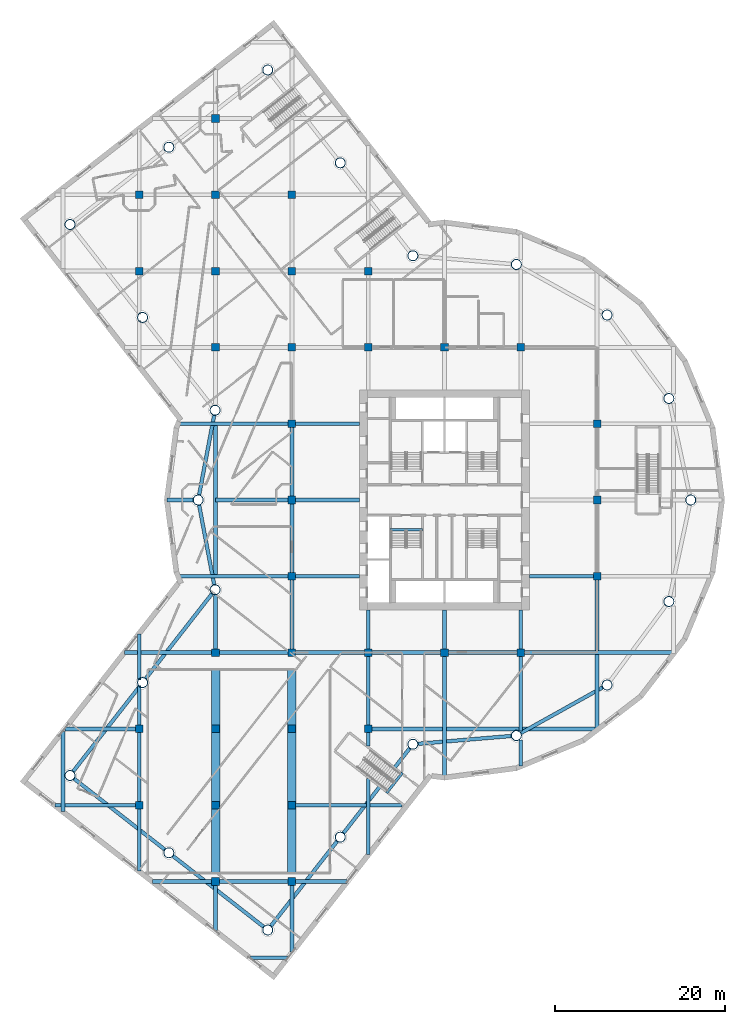
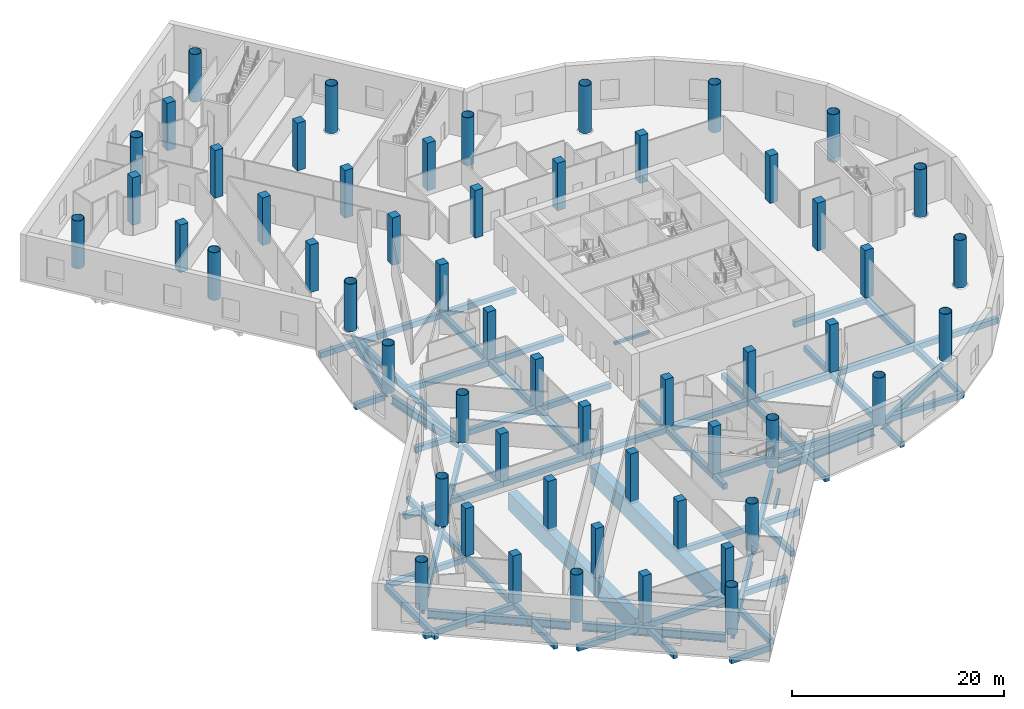
# One storey, part 1 of 23: 58 beams, 55 columns.
"""IFC4 building model written with IfcOpenShell, lengths in metres."""

from ifc_helpers import new_model, si_unit, direction, frame, origin, origin_2d, place, context, subcontext, project, spatial, rectangle, hollow_circle, i_section, extrude, material, material_profile, profile_set, type_object, element, save


model = new_model("IFC4")

# Units and contexts
model_context = context("Model", 3, precision=1e-05, world=origin(), true_north=direction((0.0, 1.0)))
body_context = subcontext(model_context, "Body", "Model", "MODEL_VIEW")
ifc_project = project(units=[si_unit("LENGTHUNIT", "METRE"), si_unit("AREAUNIT", "SQUARE_METRE"), si_unit("VOLUMEUNIT", "CUBIC_METRE"), si_unit("PLANEANGLEUNIT", "RADIAN"), si_unit("MASSUNIT", "GRAM", prefix="KILO")], contexts=[model_context])

# Site, building, storey
site_placement = place(None, origin())
site = spatial("IfcSite", under=ifc_project, at=site_placement, CompositionType="ELEMENT")
building_placement = place(site_placement, origin())
building = spatial("IfcBuilding", under=site, at=building_placement, Name="Tarsis Ring Headquarters", CompositionType="ELEMENT")
storey_placement = place(building_placement, frame((0.0, 0.0, 14.0)))
storey = spatial("IfcBuildingStorey", under=building, at=storey_placement, Name="L02", CompositionType="ELEMENT", Elevation=14.0)

# Columns
ifc_material_1 = material(Name="Concrete C60/75", Category="concrete")
ifc_material_profile_1 = material_profile(ifc_material_1, rectangle(XDim=0.89990234375, YDim=0.89990234375, at=origin_2d()), Name="PO-C900")
ifc_profile_set_1 = profile_set([ifc_material_profile_1], Name="Concrete C60/75")
column_type_1 = type_object("IfcColumnType", Name="PO-C900", PredefinedType="COLUMN", material=ifc_profile_set_1)
for number, where, z_axis, x_axis, name in (
    (1, (-36.0, -36.0, 0.0), (0.0, 0.0, 1.0), (1.0, 0.0, 0.0), "L02 column 1"),
    (2, (-36.0, -27.0, 0.0), (0.0, 0.0, 1.0), (1.0, 0.0, 0.0), "L02 column 2"),
    (3, (-36.0, 27.0, 0.0), (0.0, 0.0, 1.0), (1.0, 0.0, 0.0), "L02 column 3"),
    (4, (-36.0, 36.0, 0.0), (0.0, 0.0, 1.0), (1.0, 0.0, 0.0), "L02 column 4"),
    (5, (-27.0, -45.0, 0.0), (0.0, 0.0, 1.0), (1.0, 0.0, 0.0), "L02 column 5"),
):
    element("IfcColumn", number, at=place(storey_placement, frame(where, z_axis=z_axis, x_axis=x_axis)), inside=storey, type_object=column_type_1, Name=name, PredefinedType="COLUMN", context=body_context, shape_type="SweptSolid", body=[
        extrude(rectangle(XDim=0.89990234375, YDim=0.89990234375, at=origin_2d()), origin(), (0.0, 0.0, 1.0), 5.5),
    ])
for number, where, z_axis, x_axis, name in (
    (6, (-27.0, -36.0, -0.25), (0.0, 0.0, 1.0), (1.0, 0.0, 0.0), "L02 column 6"),
    (7, (-27.0, -27.0, -0.25), (0.0, 0.0, 1.0), (1.0, 0.0, 0.0), "L02 column 7"),
):
    element("IfcColumn", number, at=place(storey_placement, frame(where, z_axis=z_axis, x_axis=x_axis)), inside=storey, type_object=column_type_1, Name=name, PredefinedType="COLUMN", context=body_context, shape_type="SweptSolid", body=[
        extrude(rectangle(XDim=0.89990234375, YDim=0.89990234375, at=origin_2d()), origin(), (0.0, 0.0, 1.0), 5.75),
    ])
for number, where, z_axis, x_axis, name in (
    (8, (-27.0, -18.0, 0.0), (0.0, 0.0, 1.0), (1.0, 0.0, 0.0), "L02 column 8"),
    (9, (-27.0, 18.0, 0.0), (0.0, 0.0, 1.0), (1.0, 0.0, 0.0), "L02 column 9"),
    (10, (-27.0, 27.0, 0.0), (0.0, 0.0, 1.0), (1.0, 0.0, 0.0), "L02 column 10"),
    (11, (-27.0, 36.0, 0.0), (0.0, 0.0, 1.0), (1.0, 0.0, 0.0), "L02 column 11"),
    (12, (-27.0, 45.0, 0.0), (0.0, 0.0, 1.0), (1.0, 0.0, 0.0), "L02 column 12"),
    (13, (-18.0, -45.0, 0.0), (0.0, 0.0, 1.0), (1.0, 0.0, 0.0), "L02 column 13"),
):
    element("IfcColumn", number, at=place(storey_placement, frame(where, z_axis=z_axis, x_axis=x_axis)), inside=storey, type_object=column_type_1, Name=name, PredefinedType="COLUMN", context=body_context, shape_type="SweptSolid", body=[
        extrude(rectangle(XDim=0.89990234375, YDim=0.89990234375, at=origin_2d()), origin(), (0.0, 0.0, 1.0), 5.5),
    ])
for number, where, z_axis, x_axis, name in (
    (14, (-18.0, -36.0, -0.25), (0.0, 0.0, 1.0), (1.0, 0.0, 0.0), "L02 column 14"),
    (15, (-18.0, -27.0, -0.25), (0.0, 0.0, 1.0), (1.0, 0.0, 0.0), "L02 column 15"),
):
    element("IfcColumn", number, at=place(storey_placement, frame(where, z_axis=z_axis, x_axis=x_axis)), inside=storey, type_object=column_type_1, Name=name, PredefinedType="COLUMN", context=body_context, shape_type="SweptSolid", body=[
        extrude(rectangle(XDim=0.89990234375, YDim=0.89990234375, at=origin_2d()), origin(), (0.0, 0.0, 1.0), 5.75),
    ])
for number, where, z_axis, x_axis, name in (
    (16, (-18.0, -18.0, 0.0), (0.0, 0.0, 1.0), (1.0, 0.0, 0.0), "L02 column 16"),
    (17, (-18.0, -9.0, 0.0), (0.0, 0.0, 1.0), (1.0, 0.0, 0.0), "L02 column 17"),
    (18, (-18.0, 0.0, 0.0), (0.0, 0.0, 1.0), (1.0, 0.0, 0.0), "L02 column 18"),
    (19, (-18.0, 9.0, 0.0), (0.0, 0.0, 1.0), (1.0, 0.0, 0.0), "L02 column 19"),
    (20, (-18.0, 18.0, 0.0), (0.0, 0.0, 1.0), (1.0, 0.0, 0.0), "L02 column 20"),
    (21, (-18.0, 27.0, 0.0), (0.0, 0.0, 1.0), (1.0, 0.0, 0.0), "L02 column 21"),
    (22, (-18.0, 36.0, 0.0), (0.0, 0.0, 1.0), (1.0, 0.0, 0.0), "L02 column 22"),
    (23, (-9.0, -27.0, 0.0), (0.0, 0.0, 1.0), (1.0, 0.0, 0.0), "L02 column 23"),
    (24, (-9.0, -18.0, 0.0), (0.0, 0.0, 1.0), (1.0, 0.0, 0.0), "L02 column 24"),
    (25, (-9.0, 18.0, 0.0), (0.0, 0.0, 1.0), (1.0, 0.0, 0.0), "L02 column 25"),
    (26, (-9.0, 27.0, 0.0), (0.0, 0.0, 1.0), (1.0, 0.0, 0.0), "L02 column 26"),
    (27, (0.0, -18.0, 0.0), (0.0, 0.0, 1.0), (1.0, 0.0, 0.0), "L02 column 27"),
    (28, (0.0, 18.0, 0.0), (0.0, 0.0, 1.0), (1.0, 0.0, 0.0), "L02 column 28"),
    (29, (9.0, -18.0, 0.0), (0.0, 0.0, 1.0), (1.0, 0.0, 0.0), "L02 column 29"),
    (30, (9.0, 18.0, 0.0), (0.0, 0.0, 1.0), (1.0, 0.0, 0.0), "L02 column 30"),
    (31, (18.0, -9.0, 0.0), (0.0, 0.0, 1.0), (1.0, 0.0, 0.0), "L02 column 31"),
    (32, (18.0, 0.0, 0.0), (0.0, 0.0, 1.0), (1.0, 0.0, 0.0), "L02 column 32"),
    (33, (18.0, 9.0, 0.0), (0.0, 0.0, 1.0), (1.0, 0.0, 0.0), "L02 column 33"),
):
    element("IfcColumn", number, at=place(storey_placement, frame(where, z_axis=z_axis, x_axis=x_axis)), inside=storey, type_object=column_type_1, Name=name, PredefinedType="COLUMN", context=body_context, shape_type="SweptSolid", body=[
        extrude(rectangle(XDim=0.89990234375, YDim=0.89990234375, at=origin_2d()), origin(), (0.0, 0.0, 1.0), 5.5),
    ])
ifc_material_2 = material(Name="Structural steel S460", Category="steel")
ifc_material_profile_2 = material_profile(ifc_material_2, hollow_circle(Radius=0.609619140625, WallThickness=0.050048828125, at=origin_2d()), Name="CHS 1219x50")
ifc_profile_set_2 = profile_set([ifc_material_profile_2], Name="Structural steel S460")
column_type_2 = type_object("IfcColumnType", Name="XC Exo column CHS 1219x50", PredefinedType="COLUMN", material=ifc_profile_set_2)
for number, where, z_axis, x_axis, name in (
    (34, (-29.048583984375, 0.0, 0.000244140625), (0.0, 0.0, 1.0), (1.0, 0.0, 0.0), "Exo column XC1 F1"),
    (35, (-27.05126953125, -10.5849609375, 0.000244140625), (0.0, 0.0, 1.0), (1.0, 0.0, 0.0), "Exo column XC1 AK"),
    (36, (-35.6103515625, -21.5400390625, 0.000244140625), (0.0, 0.0, 1.0), (1.0, 0.0, 0.0), "Exo column XC1 AI1"),
    (37, (-44.16943359375, -32.4951171875, 0.000244140625), (0.0, 0.0, 1.0), (1.0, 0.0, 0.0), "Exo column XC1 AT1"),
    (38, (-32.5068359375, -41.60693359375, 0.000244140625), (0.0, 0.0, 1.0), (1.0, 0.0, 0.0), "Exo column XC1 AT2"),
    (39, (-20.844482421875, -50.71875, 0.000244140625), (0.0, 0.0, 1.0), (1.0, 0.0, 0.0), "Exo column XC1 AT3"),
    (40, (-12.285400390625, -39.763671875, 0.000244140625), (0.0, 0.0, 1.0), (1.0, 0.0, 0.0), "Exo column XC1 AO1"),
    (41, (-3.726318359375, -28.80859375, 0.000244140625), (0.0, 0.0, 1.0), (1.0, 0.0, 0.0), "Exo column XC1 AJ"),
    (42, (8.479736328125, -27.783203125, 0.000244140625), (0.0, 0.0, 1.0), (1.0, 0.0, 0.0), "Exo column XC1 R1"),
    (43, (19.177734375, -21.818115234375, 0.000244140625), (0.0, 0.0, 1.0), (1.0, 0.0, 0.0), "Exo column XC1 R2"),
    (44, (26.466064453125, -11.9736328125, 0.000244140625), (0.0, 0.0, 1.0), (1.0, 0.0, 0.0), "Exo column XC1 R3"),
    (45, (29.048583984375, 0.0, 0.000244140625), (0.0, 0.0, 1.0), (1.0, 0.0, 0.0), "Exo column XC1 R4"),
    (46, (26.466064453125, 11.9736328125, 0.000244140625), (0.0, 0.0, 1.0), (1.0, 0.0, 0.0), "Exo column XC1 R5"),
    (47, (19.177734375, 21.818115234375, 0.000244140625), (0.0, 0.0, 1.0), (1.0, 0.0, 0.0), "Exo column XC1 R6"),
    (48, (8.479736328125, 27.783203125, 0.000244140625), (0.0, 0.0, 1.0), (1.0, 0.0, 0.0), "Exo column XC1 R7"),
    (49, (-3.726318359375, 28.80859375, 0.000244140625), (0.0, 0.0, 1.0), (1.0, 0.0, 0.0), "Exo column XC1 BJ"),
    (50, (-12.285400390625, 39.763671875, 0.000244140625), (0.0, 0.0, 1.0), (1.0, 0.0, 0.0), "Exo column XC1 BO1"),
    (51, (-20.844482421875, 50.71875, 0.000244140625), (0.0, 0.0, 1.0), (1.0, 0.0, 0.0), "Exo column XC1 BT3"),
    (52, (-32.5068359375, 41.60693359375, 0.000244140625), (0.0, 0.0, 1.0), (1.0, 0.0, 0.0), "Exo column XC1 BT2"),
    (53, (-44.16943359375, 32.4951171875, 0.000244140625), (0.0, 0.0, 1.0), (1.0, 0.0, 0.0), "Exo column XC1 BT1"),
    (54, (-35.6103515625, 21.5400390625, 0.000244140625), (0.0, 0.0, 1.0), (1.0, 0.0, 0.0), "Exo column XC1 BI1"),
    (55, (-27.05126953125, 10.5849609375, 0.000244140625), (0.0, 0.0, 1.0), (1.0, 0.0, 0.0), "Exo column XC1 BK"),
):
    element("IfcColumn", number, at=place(storey_placement, frame(where, z_axis=z_axis, x_axis=x_axis)), inside=storey, type_object=column_type_2, Name=name, PredefinedType="COLUMN", context=body_context, shape_type="SweptSolid", body=[
        extrude(hollow_circle(Radius=0.609619140625, WallThickness=0.050048828125, at=origin_2d()), origin(), (0.0, 0.0, 1.0), 5.49951171875),
    ])

# Beams
ifc_material_3 = material(Name="Concrete C40/50", Category="concrete")
ifc_material_profile_3 = material_profile(ifc_material_3, rectangle(XDim=0.449951171875, YDim=0.64990234375, at=origin_2d()), Name="PO-B450")
ifc_profile_set_3 = profile_set([ifc_material_profile_3], Name="Concrete C40/50")
beam_type_1 = type_object("IfcBeamType", Name="PO-B450", PredefinedType="BEAM", material=ifc_profile_set_3)
beam_1_placement = place(storey_placement, frame((-45.0, -36.73193359375, -0.574951171875), z_axis=(0.0, 1.0, 0.0), x_axis=(-1.0, 0.0, 0.0)))
element("IfcBeam", 56, at=beam_1_placement, inside=storey, type_object=beam_type_1, Name="L02 floor beam 1", PredefinedType="BEAM", context=body_context, shape_type="SweptSolid", body=[
    extrude(rectangle(XDim=0.449951171875, YDim=0.64990234375, at=origin_2d()), origin(), (0.0, 0.0, 1.0), 9.42724609375),
])
beam_2_placement = place(storey_placement, frame((-36.0, -43.763671875, -0.574951171875), z_axis=(0.0, 1.0, 0.0), x_axis=(-1.0, 0.0, 0.0)))
element("IfcBeam", 57, at=beam_2_placement, inside=storey, type_object=beam_type_1, Name="L02 floor beam 3", PredefinedType="BEAM", context=body_context, shape_type="SweptSolid", body=[
    extrude(rectangle(XDim=0.449951171875, YDim=0.64990234375, at=origin_2d()), origin(), (0.0, 0.0, 1.0), 7.763671875),
])
beam_3_placement = place(storey_placement, frame((-36.0, -36.0, -0.574951171875), z_axis=(0.0, 1.0, 0.0), x_axis=(-1.0, 0.0, 0.0)))
element("IfcBeam", 58, at=beam_3_placement, inside=storey, type_object=beam_type_1, Name="L02 floor beam 4", PredefinedType="BEAM", context=body_context, shape_type="SweptSolid", body=[
    extrude(rectangle(XDim=0.449951171875, YDim=0.64990234375, at=origin_2d()), origin(), (0.0, 0.0, 1.0), 9.0),
])
beam_4_placement = place(storey_placement, frame((-36.0, -27.0, -0.574951171875), z_axis=(0.0, 1.0, 0.0), x_axis=(-1.0, 0.0, 0.0)))
element("IfcBeam", 59, at=beam_4_placement, inside=storey, type_object=beam_type_1, Name="L02 floor beam 5", PredefinedType="BEAM", context=body_context, shape_type="SweptSolid", body=[
    extrude(rectangle(XDim=0.449951171875, YDim=0.64990234375, at=origin_2d()), origin(), (0.0, 0.0, 1.0), 5.146484375),
])
beam_5_placement = place(storey_placement, frame((-36.0, -21.2265625, -0.574951171875), z_axis=(0.0, 1.0, 0.0), x_axis=(-1.0, 0.0, 0.0)))
element("IfcBeam", 60, at=beam_5_placement, inside=storey, type_object=beam_type_1, Name="L02 floor beam 6", PredefinedType="BEAM", context=body_context, shape_type="SweptSolid", body=[
    extrude(rectangle(XDim=0.449951171875, YDim=0.64990234375, at=origin_2d()), origin(), (0.0, 0.0, 1.0), 5.44140625),
])
beam_6_placement = place(storey_placement, frame((-27.0, -50.795166015625, -0.574951171875), z_axis=(0.0, 1.0, 0.0), x_axis=(-1.0, 0.0, 0.0)))
element("IfcBeam", 61, at=beam_6_placement, inside=storey, type_object=beam_type_1, Name="L02 floor beam 11", PredefinedType="BEAM", context=body_context, shape_type="SweptSolid", body=[
    extrude(rectangle(XDim=0.449951171875, YDim=0.64990234375, at=origin_2d()), origin(), (0.0, 0.0, 1.0), 5.795166015625),
])
beam_7_placement = place(storey_placement, frame((-27.0, -18.0, -0.574951171875), z_axis=(0.0, 1.0, 0.0), x_axis=(-1.0, 0.0, 0.0)))
element("IfcBeam", 62, at=beam_7_placement, inside=storey, type_object=beam_type_1, Name="L02 floor beam 12", PredefinedType="BEAM", context=body_context, shape_type="SweptSolid", body=[
    extrude(rectangle(XDim=0.449951171875, YDim=0.64990234375, at=origin_2d()), origin(), (0.0, 0.0, 1.0), 6.917724609375),
])
beam_8_placement = place(storey_placement, frame((-27.0, -9.0, -0.574951171875), z_axis=(0.0, 1.0, 0.0), x_axis=(-1.0, 0.0, 0.0)))
element("IfcBeam", 63, at=beam_8_placement, inside=storey, type_object=beam_type_1, Name="L02 floor beam 13", PredefinedType="BEAM", context=body_context, shape_type="SweptSolid", body=[
    extrude(rectangle(XDim=0.449951171875, YDim=0.64990234375, at=origin_2d()), origin(), (0.0, 0.0, 1.0), 18.0),
])
beam_9_placement = place(storey_placement, frame((-18.0, -53.33154296875, -0.574951171875), z_axis=(0.0, 1.0, 0.0), x_axis=(-1.0, 0.0, 0.0)))
element("IfcBeam", 64, at=beam_9_placement, inside=storey, type_object=beam_type_1, Name="L02 floor beam 19", PredefinedType="BEAM", context=body_context, shape_type="SweptSolid", body=[
    extrude(rectangle(XDim=0.449951171875, YDim=0.64990234375, at=origin_2d()), origin(), (0.0, 0.0, 1.0), 8.33154296875),
])
for number, where, z_axis, x_axis, name in (
    (65, (-18.0, -18.0, -0.574951171875), (0.0, 1.0, 0.0), (-1.0, 0.0, 0.0), "L02 floor beam 20"),
    (66, (-18.0, -9.0, -0.574951171875), (0.0, 1.0, 0.0), (-1.0, 0.0, 0.0), "L02 floor beam 21"),
    (67, (-18.0, 0.0, -0.574951171875), (0.0, 1.0, 0.0), (-1.0, 0.0, 0.0), "L02 floor beam 22"),
):
    element("IfcBeam", number, at=place(storey_placement, frame(where, z_axis=z_axis, x_axis=x_axis)), inside=storey, type_object=beam_type_1, Name=name, PredefinedType="BEAM", context=body_context, shape_type="SweptSolid", body=[
        extrude(rectangle(XDim=0.449951171875, YDim=0.64990234375, at=origin_2d()), origin(), (0.0, 0.0, 1.0), 9.0),
    ])
beam_10_placement = place(storey_placement, frame((-9.0, -41.81201171875, -0.574951171875), z_axis=(0.0, 1.0, 0.0), x_axis=(-1.0, 0.0, 0.0)))
element("IfcBeam", 68, at=beam_10_placement, inside=storey, type_object=beam_type_1, Name="L02 floor beam 28", PredefinedType="BEAM", context=body_context, shape_type="SweptSolid", body=[
    extrude(rectangle(XDim=0.449951171875, YDim=0.64990234375, at=origin_2d()), origin(), (0.0, 0.0, 1.0), 8.939697265625),
])
beam_11_placement = place(storey_placement, frame((-9.0, -29.003173828125, -0.574951171875), z_axis=(0.0, 1.0, 0.0), x_axis=(-1.0, 0.0, 0.0)))
element("IfcBeam", 69, at=beam_11_placement, inside=storey, type_object=beam_type_1, Name="L02 floor beam 29", PredefinedType="BEAM", context=body_context, shape_type="SweptSolid", body=[
    extrude(rectangle(XDim=0.449951171875, YDim=0.64990234375, at=origin_2d()), origin(), (0.0, 0.0, 1.0), 2.003173828125),
])
beam_12_placement = place(storey_placement, frame((-9.0, -27.0, -0.574951171875), z_axis=(0.0, 1.0, 0.0), x_axis=(-1.0, 0.0, 0.0)))
element("IfcBeam", 70, at=beam_12_placement, inside=storey, type_object=beam_type_1, Name="L02 floor beam 30", PredefinedType="BEAM", context=body_context, shape_type="SweptSolid", body=[
    extrude(rectangle(XDim=0.449951171875, YDim=0.64990234375, at=origin_2d()), origin(), (0.0, 0.0, 1.0), 9.0),
])
beam_13_placement = place(storey_placement, frame((-9.0, -18.0, -0.574951171875), z_axis=(0.0, 1.0, 0.0), x_axis=(-1.0, 0.0, 0.0)))
element("IfcBeam", 71, at=beam_13_placement, inside=storey, type_object=beam_type_1, Name="L02 floor beam 31", PredefinedType="BEAM", context=body_context, shape_type="SweptSolid", body=[
    extrude(rectangle(XDim=0.449951171875, YDim=0.64990234375, at=origin_2d()), origin(), (0.0, 0.0, 1.0), 5.0),
])
beam_14_placement = place(storey_placement, frame((0.0, -32.70458984375, -0.574951171875), z_axis=(0.0, 1.0, 0.0), x_axis=(-1.0, 0.0, 0.0)))
element("IfcBeam", 72, at=beam_14_placement, inside=storey, type_object=beam_type_1, Name="L02 floor beam 36", PredefinedType="BEAM", context=body_context, shape_type="SweptSolid", body=[
    extrude(rectangle(XDim=0.449951171875, YDim=0.64990234375, at=origin_2d()), origin(), (0.0, 0.0, 1.0), 14.70458984375),
])
beam_15_placement = place(storey_placement, frame((0.0, -18.0, -0.574951171875), z_axis=(0.0, 1.0, 0.0), x_axis=(-1.0, 0.0, 0.0)))
element("IfcBeam", 73, at=beam_15_placement, inside=storey, type_object=beam_type_1, Name="L02 floor beam 37", PredefinedType="BEAM", context=body_context, shape_type="SweptSolid", body=[
    extrude(rectangle(XDim=0.449951171875, YDim=0.64990234375, at=origin_2d()), origin(), (0.0, 0.0, 1.0), 5.0),
])
beam_16_placement = place(storey_placement, frame((9.0, -31.371337890625, -0.574951171875), z_axis=(0.0, 1.0, 0.0), x_axis=(-1.0, 0.0, 0.0)))
element("IfcBeam", 74, at=beam_16_placement, inside=storey, type_object=beam_type_1, Name="L02 floor beam 40", PredefinedType="BEAM", context=body_context, shape_type="SweptSolid", body=[
    extrude(rectangle(XDim=0.449951171875, YDim=0.64990234375, at=origin_2d()), origin(), (0.0, 0.0, 1.0), 3.050048828125),
])
beam_17_placement = place(storey_placement, frame((9.0, -27.245361328125, -0.574951171875), z_axis=(0.0, 1.0, 0.0), x_axis=(-1.0, 0.0, 0.0)))
element("IfcBeam", 75, at=beam_17_placement, inside=storey, type_object=beam_type_1, Name="L02 floor beam 41", PredefinedType="BEAM", context=body_context, shape_type="SweptSolid", body=[
    extrude(rectangle(XDim=0.449951171875, YDim=0.64990234375, at=origin_2d()), origin(), (0.0, 0.0, 1.0), 9.245361328125),
])
beam_18_placement = place(storey_placement, frame((9.0, -18.0, -0.574951171875), z_axis=(0.0, 1.0, 0.0), x_axis=(-1.0, 0.0, 0.0)))
element("IfcBeam", 76, at=beam_18_placement, inside=storey, type_object=beam_type_1, Name="L02 floor beam 42", PredefinedType="BEAM", context=body_context, shape_type="SweptSolid", body=[
    extrude(rectangle(XDim=0.449951171875, YDim=0.64990234375, at=origin_2d()), origin(), (0.0, 0.0, 1.0), 5.0),
])
beam_19_placement = place(storey_placement, frame((18.0, -27.062255859375, -0.574951171875), z_axis=(0.0, 1.0, 0.0), x_axis=(-1.0, 0.0, 0.0)))
element("IfcBeam", 77, at=beam_19_placement, inside=storey, type_object=beam_type_1, Name="L02 floor beam 46", PredefinedType="BEAM", context=body_context, shape_type="SweptSolid", body=[
    extrude(rectangle(XDim=0.449951171875, YDim=0.64990234375, at=origin_2d()), origin(), (0.0, 0.0, 1.0), 18.062255859375),
])
beam_20_placement = place(storey_placement, frame((-22.89794921875, -54.0, -0.574951171875), z_axis=(1.0, 0.0, 0.0), x_axis=(0.0, 1.0, 0.0)))
element("IfcBeam", 78, at=beam_20_placement, inside=storey, type_object=beam_type_1, Name="L02 floor beam 53", PredefinedType="BEAM", context=body_context, shape_type="SweptSolid", body=[
    extrude(rectangle(XDim=0.449951171875, YDim=0.64990234375, at=origin_2d()), origin(), (0.0, 0.0, 1.0), 4.375732421875),
])
beam_21_placement = place(storey_placement, frame((-34.41748046875, -45.0, -0.574951171875), z_axis=(1.0, 0.0, 0.0), x_axis=(0.0, 1.0, 0.0)))
element("IfcBeam", 79, at=beam_21_placement, inside=storey, type_object=beam_type_1, Name="L02 floor beam 54", PredefinedType="BEAM", context=body_context, shape_type="SweptSolid", body=[
    extrude(rectangle(XDim=0.449951171875, YDim=0.64990234375, at=origin_2d()), origin(), (0.0, 0.0, 1.0), 7.41748046875),
])
beam_22_placement = place(storey_placement, frame((-27.0, -45.0, -0.574951171875), z_axis=(1.0, 0.0, 0.0), x_axis=(0.0, 1.0, 0.0)))
element("IfcBeam", 80, at=beam_22_placement, inside=storey, type_object=beam_type_1, Name="L02 floor beam 55", PredefinedType="BEAM", context=body_context, shape_type="SweptSolid", body=[
    extrude(rectangle(XDim=0.449951171875, YDim=0.64990234375, at=origin_2d()), origin(), (0.0, 0.0, 1.0), 9.0),
])
beam_23_placement = place(storey_placement, frame((-18.0, -45.0, -0.574951171875), z_axis=(1.0, 0.0, 0.0), x_axis=(0.0, 1.0, 0.0)))
element("IfcBeam", 81, at=beam_23_placement, inside=storey, type_object=beam_type_1, Name="L02 floor beam 56", PredefinedType="BEAM", context=body_context, shape_type="SweptSolid", body=[
    extrude(rectangle(XDim=0.449951171875, YDim=0.64990234375, at=origin_2d()), origin(), (0.0, 0.0, 1.0), 6.50927734375),
])
beam_24_placement = place(storey_placement, frame((-45.93701171875, -36.0, -0.574951171875), z_axis=(1.0, 0.0, 0.0), x_axis=(0.0, 1.0, 0.0)))
element("IfcBeam", 82, at=beam_24_placement, inside=storey, type_object=beam_type_1, Name="L02 floor beam 57", PredefinedType="BEAM", context=body_context, shape_type="SweptSolid", body=[
    extrude(rectangle(XDim=0.449951171875, YDim=0.64990234375, at=origin_2d()), origin(), (0.0, 0.0, 1.0), 9.93701171875),
])
beam_25_placement = place(storey_placement, frame((-18.0, -36.0, -0.574951171875), z_axis=(1.0, 0.0, 0.0), x_axis=(0.0, 1.0, 0.0)))
element("IfcBeam", 83, at=beam_25_placement, inside=storey, type_object=beam_type_1, Name="L02 floor beam 58", PredefinedType="BEAM", context=body_context, shape_type="SweptSolid", body=[
    extrude(rectangle(XDim=0.449951171875, YDim=0.64990234375, at=origin_2d()), origin(), (0.0, 0.0, 1.0), 13.0068359375),
])
beam_26_placement = place(storey_placement, frame((-44.761962890625, -27.0, -0.574951171875), z_axis=(1.0, 0.0, 0.0), x_axis=(0.0, 1.0, 0.0)))
element("IfcBeam", 84, at=beam_26_placement, inside=storey, type_object=beam_type_1, Name="L02 floor beam 59", PredefinedType="BEAM", context=body_context, shape_type="SweptSolid", body=[
    extrude(rectangle(XDim=0.449951171875, YDim=0.64990234375, at=origin_2d()), origin(), (0.0, 0.0, 1.0), 8.761962890625),
])
beam_27_placement = place(storey_placement, frame((-9.0, -27.0, -0.574951171875), z_axis=(1.0, 0.0, 0.0), x_axis=(0.0, 1.0, 0.0)))
element("IfcBeam", 85, at=beam_27_placement, inside=storey, type_object=beam_type_1, Name="L02 floor beam 60", PredefinedType="BEAM", context=body_context, shape_type="SweptSolid", body=[
    extrude(rectangle(XDim=0.449951171875, YDim=0.64990234375, at=origin_2d()), origin(), (0.0, 0.0, 1.0), 27.0810546875),
])
beam_28_placement = place(storey_placement, frame((-37.730224609375, -18.0, -0.574951171875), z_axis=(1.0, 0.0, 0.0), x_axis=(0.0, 1.0, 0.0)))
element("IfcBeam", 86, at=beam_28_placement, inside=storey, type_object=beam_type_1, Name="L02 floor beam 61", PredefinedType="BEAM", context=body_context, shape_type="SweptSolid", body=[
    extrude(rectangle(XDim=0.449951171875, YDim=0.64990234375, at=origin_2d()), origin(), (0.0, 0.0, 1.0), 10.730224609375),
])
for number, where, z_axis, x_axis, name in (
    (87, (-27.0, -18.0, -0.574951171875), (1.0, 0.0, 0.0), (0.0, 1.0, 0.0), "L02 floor beam 62"),
    (88, (-18.0, -18.0, -0.574951171875), (1.0, 0.0, 0.0), (0.0, 1.0, 0.0), "L02 floor beam 63"),
    (89, (-9.0, -18.0, -0.574951171875), (1.0, 0.0, 0.0), (0.0, 1.0, 0.0), "L02 floor beam 64"),
    (90, (0.0, -18.0, -0.574951171875), (1.0, 0.0, 0.0), (0.0, 1.0, 0.0), "L02 floor beam 65"),
):
    element("IfcBeam", number, at=place(storey_placement, frame(where, z_axis=z_axis, x_axis=x_axis)), inside=storey, type_object=beam_type_1, Name=name, PredefinedType="BEAM", context=body_context, shape_type="SweptSolid", body=[
        extrude(rectangle(XDim=0.449951171875, YDim=0.64990234375, at=origin_2d()), origin(), (0.0, 0.0, 1.0), 9.0),
    ])
beam_29_placement = place(storey_placement, frame((9.0, -18.0, -0.574951171875), z_axis=(1.0, 0.0, 0.0), x_axis=(0.0, 1.0, 0.0)))
element("IfcBeam", 91, at=beam_29_placement, inside=storey, type_object=beam_type_1, Name="L02 floor beam 66", PredefinedType="BEAM", context=body_context, shape_type="SweptSolid", body=[
    extrude(rectangle(XDim=0.449951171875, YDim=0.64990234375, at=origin_2d()), origin(), (0.0, 0.0, 1.0), 18.062255859375),
])
beam_30_placement = place(storey_placement, frame((-31.371337890625, -9.0, -0.574951171875), z_axis=(1.0, 0.0, 0.0), x_axis=(0.0, 1.0, 0.0)))
element("IfcBeam", 92, at=beam_30_placement, inside=storey, type_object=beam_type_1, Name="L02 floor beam 67", PredefinedType="BEAM", context=body_context, shape_type="SweptSolid", body=[
    extrude(rectangle(XDim=0.449951171875, YDim=0.64990234375, at=origin_2d()), origin(), (0.0, 0.0, 1.0), 13.371337890625),
])
for number, where, z_axis, x_axis, name in (
    (93, (-18.0, -9.0, -0.574951171875), (1.0, 0.0, 0.0), (0.0, 1.0, 0.0), "L02 floor beam 68"),
    (94, (10.0, -9.0, -0.574951171875), (1.0, 0.0, 0.0), (0.0, 1.0, 0.0), "L02 floor beam 69"),
):
    element("IfcBeam", number, at=place(storey_placement, frame(where, z_axis=z_axis, x_axis=x_axis)), inside=storey, type_object=beam_type_1, Name=name, PredefinedType="BEAM", context=body_context, shape_type="SweptSolid", body=[
        extrude(rectangle(XDim=0.449951171875, YDim=0.64990234375, at=origin_2d()), origin(), (0.0, 0.0, 1.0), 8.0),
    ])
beam_31_placement = place(storey_placement, frame((-32.70458984375, 0.0, -0.574951171875), z_axis=(1.0, 0.0, 0.0), x_axis=(0.0, 1.0, 0.0)))
element("IfcBeam", 95, at=beam_31_placement, inside=storey, type_object=beam_type_1, Name="L02 floor beam 71", PredefinedType="BEAM", context=body_context, shape_type="SweptSolid", body=[
    extrude(rectangle(XDim=0.449951171875, YDim=0.64990234375, at=origin_2d()), origin(), (0.0, 0.0, 1.0), 3.156005859375),
])
beam_32_placement = place(storey_placement, frame((-27.0, 0.0, -0.574951171875), z_axis=(1.0, 0.0, 0.0), x_axis=(0.0, 1.0, 0.0)))
element("IfcBeam", 96, at=beam_32_placement, inside=storey, type_object=beam_type_1, Name="L02 floor beam 72", PredefinedType="BEAM", context=body_context, shape_type="SweptSolid", body=[
    extrude(rectangle(XDim=0.449951171875, YDim=0.64990234375, at=origin_2d()), origin(), (0.0, 0.0, 1.0), 9.0),
])
beam_33_placement = place(storey_placement, frame((-18.0, 0.0, -0.574951171875), z_axis=(1.0, 0.0, 0.0), x_axis=(0.0, 1.0, 0.0)))
element("IfcBeam", 97, at=beam_33_placement, inside=storey, type_object=beam_type_1, Name="L02 floor beam 73", PredefinedType="BEAM", context=body_context, shape_type="SweptSolid", body=[
    extrude(rectangle(XDim=0.449951171875, YDim=0.64990234375, at=origin_2d()), origin(), (0.0, 0.0, 1.0), 8.0),
])
beam_34_placement = place(storey_placement, frame((-31.371337890625, 9.0, -0.574951171875), z_axis=(1.0, 0.0, 0.0), x_axis=(0.0, 1.0, 0.0)))
element("IfcBeam", 98, at=beam_34_placement, inside=storey, type_object=beam_type_1, Name="L02 floor beam 78", PredefinedType="BEAM", context=body_context, shape_type="SweptSolid", body=[
    extrude(rectangle(XDim=0.449951171875, YDim=0.64990234375, at=origin_2d()), origin(), (0.0, 0.0, 1.0), 13.371337890625),
])
beam_35_placement = place(storey_placement, frame((-18.0, 9.0, -0.574951171875), z_axis=(1.0, 0.0, 0.0), x_axis=(0.0, 1.0, 0.0)))
element("IfcBeam", 99, at=beam_35_placement, inside=storey, type_object=beam_type_1, Name="L02 floor beam 79", PredefinedType="BEAM", context=body_context, shape_type="SweptSolid", body=[
    extrude(rectangle(XDim=0.449951171875, YDim=0.64990234375, at=origin_2d()), origin(), (0.0, 0.0, 1.0), 8.0),
])
ifc_material_profile_4 = material_profile(ifc_material_1, rectangle(XDim=0.300048828125, YDim=0.300048828125, at=origin_2d()), Name="PO-SHB300")
ifc_profile_set_4 = profile_set([ifc_material_profile_4], Name="Concrete C60/75")
beam_type_2 = type_object("IfcBeamType", Name="PO-SHB300", PredefinedType="BEAM", material=ifc_profile_set_4)
beam_36_placement = place(storey_placement, frame((-4.955322265625, -32.160400390625, -0.39990234375), z_axis=(-0.615308465652, -0.788286427701, 0.0), x_axis=(0.788286427701, -0.615308465652, 0.0)))
element("IfcBeam", 100, at=beam_36_placement, inside=storey, type_object=beam_type_2, Name="Stair head beam L02 PS2", PredefinedType="BEAM", context=body_context, shape_type="SweptSolid", body=[
    extrude(rectangle(XDim=0.300048828125, YDim=0.300048828125, at=origin_2d()), origin(), (0.0, 0.0, 1.0), 3.050048828125),
])
ifc_material_profile_5 = material_profile(ifc_material_1, rectangle(XDim=1.0, YDim=2.0, at=origin_2d()), Name="PO-TG1000")
ifc_profile_set_5 = profile_set([ifc_material_profile_5], Name="Concrete C60/75")
beam_type_3 = type_object("IfcBeamType", Name="PO-TG1000", PredefinedType="BEAM", material=ifc_profile_set_5)
for number, where, z_axis, x_axis, name in (
    (101, (-27.0, -44.0, -1.25), (0.0, 1.0, 0.0), (-1.0, 0.0, 0.0), "L02 transfer girder 1"),
    (102, (-18.0, -44.0, -1.25), (0.0, 1.0, 0.0), (-1.0, 0.0, 0.0), "L02 transfer girder 2"),
):
    element("IfcBeam", number, at=place(storey_placement, frame(where, z_axis=z_axis, x_axis=x_axis)), inside=storey, type_object=beam_type_3, Name=name, PredefinedType="BEAM", context=body_context, shape_type="SweptSolid", body=[
        extrude(rectangle(XDim=1.0, YDim=2.0, at=origin_2d()), origin(), (0.0, 0.0, 1.0), 24.0),
    ])
ifc_material_profile_6 = material_profile(ifc_material_3, rectangle(XDim=0.300048828125, YDim=0.300048828125, at=origin_2d()), Name="Stair head beam 300x300 C40/50")
ifc_profile_set_6 = profile_set([ifc_material_profile_6], Name="Concrete C40/50")
beam_type_4 = type_object("IfcBeamType", Name="Stair head beam 300x300 C40/50", PredefinedType="BEAM", material=ifc_profile_set_6)
beam_37_placement = place(storey_placement, frame((-6.39990234375, -3.510009765625, -0.39990234375), z_axis=(1.0, 0.0, 0.0), x_axis=(0.0, 1.0, 0.0)))
element("IfcBeam", 103, at=beam_37_placement, inside=storey, type_object=beam_type_4, Name="Stair head beam L02 Exit stair C", PredefinedType="BEAM", context=body_context, shape_type="SweptSolid", body=[
    extrude(rectangle(XDim=0.300048828125, YDim=0.300048828125, at=origin_2d()), origin(), (0.0, 0.0, 1.0), 3.7998046875),
])
ifc_material_4 = material(Name="Structural steel S355", Category="steel")
ifc_material_profile_7 = material_profile(ifc_material_4, i_section(OverallWidth=0.42431640625, OverallDepth=0.947509765625, WebThickness=0.02392578125, FlangeThickness=0.042724609375, at=origin_2d()), Name="W36x302")
ifc_profile_set_7 = profile_set([ifc_material_profile_7], Name="Structural steel S355")
beam_type_5 = type_object("IfcBeamType", Name="XG Ring girder W36x302", PredefinedType="BEAM", material=ifc_profile_set_7)
beam_38_placement = place(storey_placement, frame((-28.94677734375, -0.5390625, -0.7236328125), z_axis=(0.185403721267, -0.982662434481, 0.0), x_axis=(0.982662434481, 0.185403721267, 0.0)))
element("IfcBeam", 104, at=beam_38_placement, inside=storey, type_object=beam_type_5, Name="Ring girder XG1", PredefinedType="BEAM", context=body_context, shape_type="SweptSolid", body=[
    extrude(i_section(OverallWidth=0.42431640625, OverallDepth=0.947509765625, WebThickness=0.02392578125, FlangeThickness=0.042724609375, at=origin_2d()), origin(), (0.0, 0.0, 1.0), 9.674560546875),
])
for number, where, z_axis, x_axis, name in (
    (105, (-27.38916015625, -11.017333984375, -0.7236328125), (-0.615666981287, -0.788006451847, 0.0), (0.788006451847, -0.615666981287, 0.0), "Ring girder XG1"),
    (106, (-35.9482421875, -21.972412109375, -0.7236328125), (-0.615666981287, -0.788006451847, 0.0), (0.788006451847, -0.615666981287, 0.0), "Ring girder XG1"),
):
    element("IfcBeam", number, at=place(storey_placement, frame(where, z_axis=z_axis, x_axis=x_axis)), inside=storey, type_object=beam_type_5, Name=name, PredefinedType="BEAM", context=body_context, shape_type="SweptSolid", body=[
        extrude(i_section(OverallWidth=0.42431640625, OverallDepth=0.947509765625, WebThickness=0.02392578125, FlangeThickness=0.042724609375, at=origin_2d()), origin(), (0.0, 0.0, 1.0), 12.804931640625),
    ])
for number, where, z_axis, x_axis, name in (
    (107, (-43.737060546875, -32.8330078125, -0.7236328125), (0.7880081664, -0.615664786785, 0.0), (0.615664786785, 0.7880081664, 0.0), "Ring girder XG1"),
    (108, (-32.07470703125, -41.94482421875, -0.7236328125), (0.788023563374, -0.61564507922, 0.0), (0.61564507922, 0.788023563374, 0.0), "Ring girder XG1"),
):
    element("IfcBeam", number, at=place(storey_placement, frame(where, z_axis=z_axis, x_axis=x_axis)), inside=storey, type_object=beam_type_5, Name=name, PredefinedType="BEAM", context=body_context, shape_type="SweptSolid", body=[
        extrude(i_section(OverallWidth=0.42431640625, OverallDepth=0.947509765625, WebThickness=0.02392578125, FlangeThickness=0.042724609375, at=origin_2d()), origin(), (0.0, 0.0, 1.0), 13.70263671875),
    ])
for number, where, z_axis, x_axis, name in (
    (109, (-20.506591796875, -50.286376953125, -0.7236328125), (0.615666981287, 0.788006451847, 0.0), (-0.788006451847, 0.615666981287, 0.0), "Ring girder XG1"),
    (110, (-11.947509765625, -39.331298828125, -0.7236328125), (0.615666981287, 0.788006451847, 0.0), (-0.788006451847, 0.615666981287, 0.0), "Ring girder XG1"),
):
    element("IfcBeam", number, at=place(storey_placement, frame(where, z_axis=z_axis, x_axis=x_axis)), inside=storey, type_object=beam_type_5, Name=name, PredefinedType="BEAM", context=body_context, shape_type="SweptSolid", body=[
        extrude(i_section(OverallWidth=0.42431640625, OverallDepth=0.947509765625, WebThickness=0.02392578125, FlangeThickness=0.042724609375, at=origin_2d()), origin(), (0.0, 0.0, 1.0), 12.804931640625),
    ])
beam_39_placement = place(storey_placement, frame((-3.179443359375, -28.7626953125, -0.7236328125), z_axis=(0.996489363019, 0.083719468411, 0.0), x_axis=(-0.083719468411, 0.996489363019, 0.0)))
element("IfcBeam", 111, at=beam_39_placement, inside=storey, type_object=beam_type_5, Name="Ring girder XG1", PredefinedType="BEAM", context=body_context, shape_type="SweptSolid", body=[
    extrude(i_section(OverallWidth=0.42431640625, OverallDepth=0.947509765625, WebThickness=0.02392578125, FlangeThickness=0.042724609375, at=origin_2d()), origin(), (0.0, 0.0, 1.0), 11.1513671875),
])
beam_40_placement = place(storey_placement, frame((8.958740234375, -27.51611328125, -0.7236328125), z_axis=(0.873397184148, 0.487008581776, 0.0), x_axis=(-0.487008581776, 0.873397184148, 0.0)))
element("IfcBeam", 112, at=beam_40_placement, inside=storey, type_object=beam_type_5, Name="Ring girder XG1", PredefinedType="BEAM", context=body_context, shape_type="SweptSolid", body=[
    extrude(i_section(OverallWidth=0.42431640625, OverallDepth=0.947509765625, WebThickness=0.02392578125, FlangeThickness=0.042724609375, at=origin_2d()), origin(), (0.0, 0.0, 1.0), 11.151611328125),
])
beam_41_placement = place(storey_placement, frame((-27.153076171875, 10.0458984375, -0.7236328125), z_axis=(-0.185403721267, -0.982662434481, 0.0), x_axis=(0.982662434481, -0.185403721267, 0.0)))
element("IfcBeam", 113, at=beam_41_placement, inside=storey, type_object=beam_type_5, Name="Ring girder XG1", PredefinedType="BEAM", context=body_context, shape_type="SweptSolid", body=[
    extrude(i_section(OverallWidth=0.42431640625, OverallDepth=0.947509765625, WebThickness=0.02392578125, FlangeThickness=0.042724609375, at=origin_2d()), origin(), (0.0, 0.0, 1.0), 9.674560546875),
])

save(model, "model.ifc")
